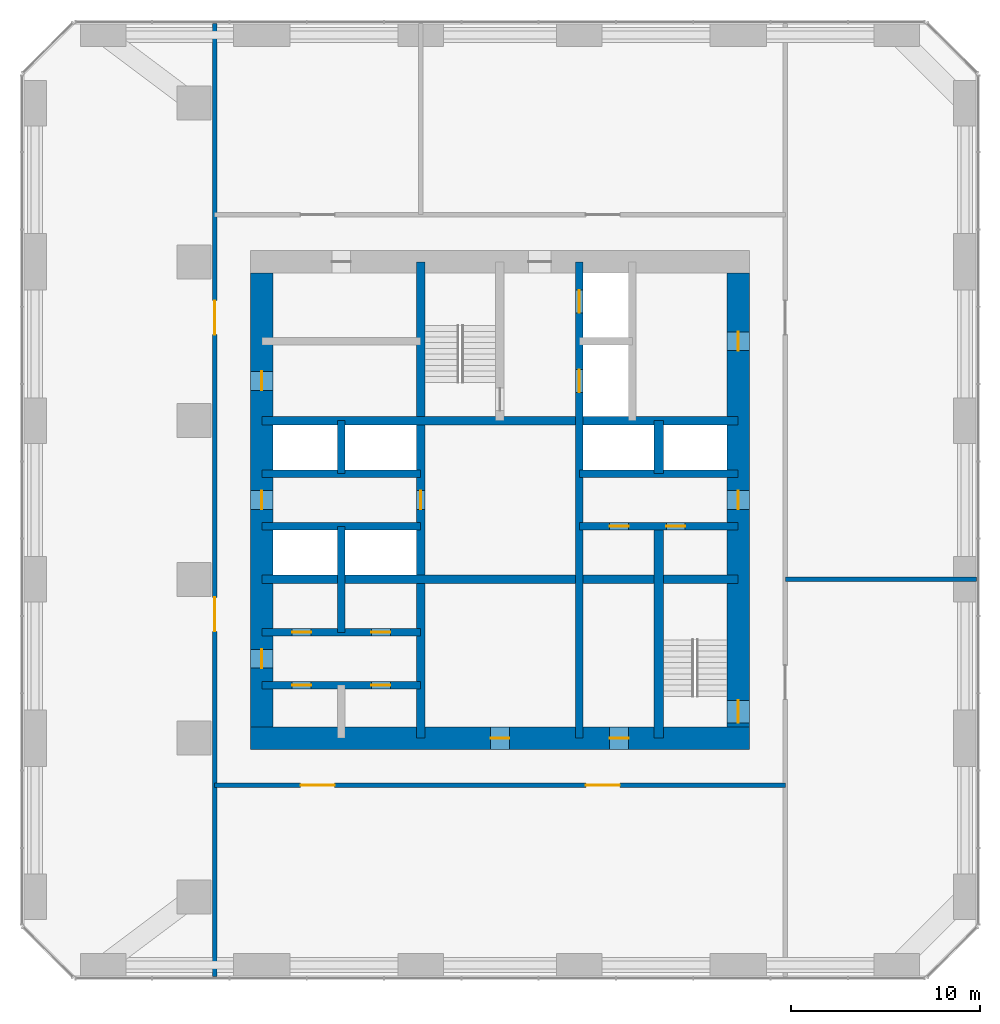
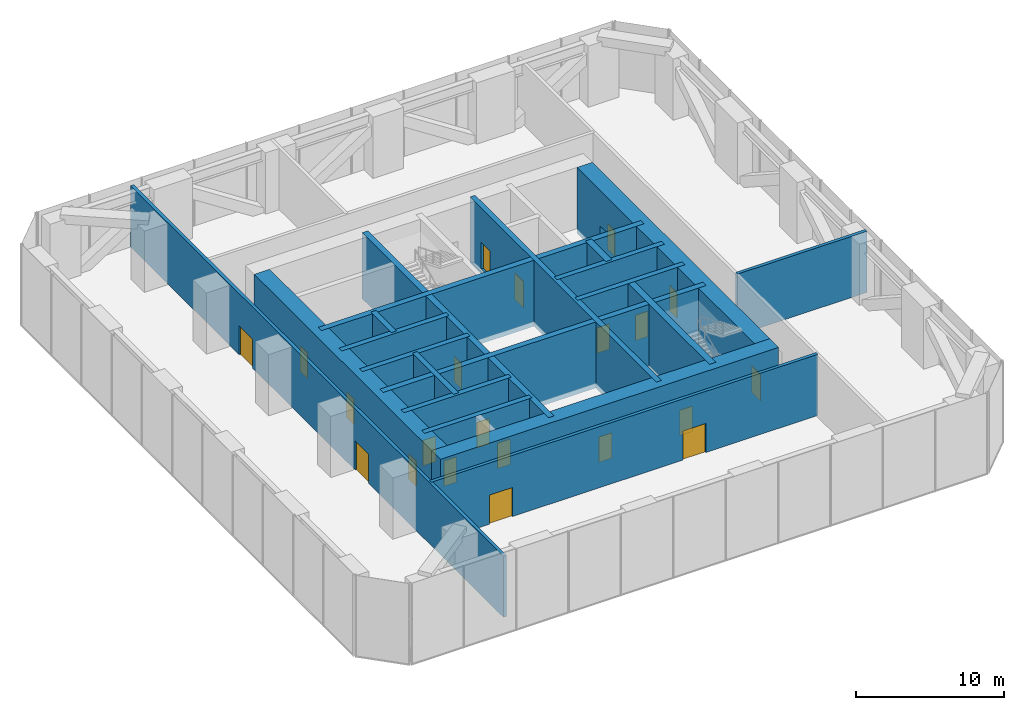
# One storey, part 8 of 10: 21 doors, 20 walls, 21 openings.
"""IFC4 building model written with IfcOpenShell, lengths in metres."""

import ifcopenshell
import ifcopenshell.guid

model = None  # the IFC model being written
_history = None  # IfcOwnerHistory: only IFC2X3 demands one
_inside = {}  # id of a spatial element -> (the spatial element, [elements in it])
_under = {}  # id of a project, library or spatial element -> (it, [spatial elements below it])
_declared = {}  # id of a project -> (the project, [libraries it declares])
_typed = {}  # id of a type object -> (the type object, [elements of that type])
_made_of = {}  # id of a material, layer set ... -> (it, [elements and type objects made of it])


def new_model(schema):
    """Start an empty IFC model of exactly this schema.

    Asked for "IFC4X3", IfcOpenShell would pick the latest addendum, in which some entities
    have other attributes; the version numbers below select the first issue.
    IFC2X3 requires an IfcOwnerHistory on every rooted entity: one is made here for all.
    """
    global model, _history
    if schema == "IFC4X3":
        model = ifcopenshell.file(schema_version=(4, 3, 0, 0))
    else:
        model = ifcopenshell.file(schema=schema)
    _inside.clear()
    _under.clear()
    _declared.clear()
    _typed.clear()
    _made_of.clear()
    _history = None
    if model.schema == "IFC2X3":
        org = make("IfcOrganization", Name="unknown")
        user = make(
            "IfcPersonAndOrganization",
            ThePerson=make("IfcPerson", FamilyName="unknown"),
            TheOrganization=org,
        )
        app = make(
            "IfcApplication",
            ApplicationDeveloper=org,
            Version="unknown",
            ApplicationFullName="unknown",
            ApplicationIdentifier="unknown",
        )
        _history = make(
            "IfcOwnerHistory",
            OwningUser=user,
            OwningApplication=app,
            ChangeAction="ADDED",
            CreationDate=0,
        )
    return model


def make(cls, **values):
    """One entity of the class cls with the attributes given. An attribute that is None is left unset."""
    return model.create_entity(
        cls, **{name: value for name, value in values.items() if value is not None}
    )


def rooted(cls, **values):
    """An entity with a GlobalId (a new one), such as an element, a storey or a relation."""
    return make(cls, GlobalId=ifcopenshell.guid.new(), OwnerHistory=_history, **values)


def si_unit(unit_type, name, prefix=None):
    """IfcSIUnit, for example si_unit("LENGTHUNIT", "METRE", prefix="MILLI")."""
    return make("IfcSIUnit", UnitType=unit_type, Prefix=prefix, Name=name)


def assignment(units):
    """IfcUnitAssignment: the units of a project."""
    return None if units is None else make("IfcUnitAssignment", Units=units)


def point(xyz):
    """IfcCartesianPoint."""
    return None if xyz is None else make("IfcCartesianPoint", Coordinates=xyz)


def direction(xyz):
    """IfcDirection."""
    return None if xyz is None else make("IfcDirection", DirectionRatios=xyz)


def frame(location, z_axis=None, x_axis=None):
    """IfcAxis2Placement3D, a coordinate frame: its origin and axes. An axis left out is left unset."""
    return make(
        "IfcAxis2Placement3D",
        Location=point(location),
        Axis=direction(z_axis),
        RefDirection=direction(x_axis),
    )


def frame_2d(location, x_axis=None):
    """IfcAxis2Placement2D, a coordinate frame in the plane: its origin and x axis."""
    return make(
        "IfcAxis2Placement2D", Location=point(location), RefDirection=direction(x_axis)
    )


def origin():
    """The frame at (0, 0, 0) with its axes left unset."""
    return frame((0.0, 0.0, 0.0))


def place(relative_to, where):
    """IfcLocalPlacement: puts the frame where relative to a parent placement (None: the world)."""
    return make(
        "IfcLocalPlacement", PlacementRelTo=relative_to, RelativePlacement=where
    )


def context(
    kind, dimensions, precision=None, world=None, true_north=None, identifier=None
):
    """IfcGeometricRepresentationContext, for example the 3D "Model" context."""
    return make(
        "IfcGeometricRepresentationContext",
        ContextIdentifier=identifier,
        ContextType=kind,
        CoordinateSpaceDimension=dimensions,
        Precision=precision,
        WorldCoordinateSystem=world,
        TrueNorth=true_north,
    )


def subcontext(parent, identifier, kind, view, scale=None):
    """IfcGeometricRepresentationSubContext, for example "Body" below "Model"."""
    return make(
        "IfcGeometricRepresentationSubContext",
        ContextIdentifier=identifier,
        ContextType=kind,
        ParentContext=parent,
        TargetScale=scale,
        TargetView=view,
    )


def project(units=None, contexts=None):
    """IfcProject with its units and contexts."""
    return rooted(
        "IfcProject",
        Name="project",
        RepresentationContexts=contexts,
        UnitsInContext=assignment(units),
    )


def spatial(cls, under=None, at=None, **own):
    """A site, building, storey or space (cls), placed at a placement, below another one or the project."""
    s = rooted(cls, ObjectPlacement=at, **own)
    if under is not None:
        _under.setdefault(under.id(), (under, []))[1].append(s)
    return s


def profile(cls, at=None, kind="AREA", **sizes):
    """A parametric profile (cls). Its sizes go by their IFC names, for example OverallWidth=200.0."""
    return make(cls, ProfileType=kind, Position=at, **sizes)


def rectangle(**sizes):
    """IfcRectangleProfileDef."""
    return profile("IfcRectangleProfileDef", **sizes)


def extrude(swept, where, along, depth):
    """IfcExtrudedAreaSolid: the profile swept, set in the frame where, extruded along a direction by depth."""
    return make(
        "IfcExtrudedAreaSolid",
        SweptArea=swept,
        Position=where,
        ExtrudedDirection=direction(along),
        Depth=depth,
    )


def shape(context_of_items, identifier, shape_type, items):
    """IfcShapeRepresentation: the items that make up one representation, for example the "Body"."""
    return make(
        "IfcShapeRepresentation",
        ContextOfItems=context_of_items,
        RepresentationIdentifier=identifier,
        RepresentationType=shape_type,
        Items=items,
    )


def material(Name=None, Category=None):
    """IfcMaterial."""
    return make("IfcMaterial", Name=Name, Category=Category)


def layer(
    of_material, thickness, ventilated=None, Name=None, Category=None, Priority=None
):
    """IfcMaterialLayer: one layer of a wall or slab, of a material (None: an air gap)."""
    return make(
        "IfcMaterialLayer",
        Material=of_material,
        LayerThickness=thickness,
        IsVentilated=ventilated,
        Name=Name,
        Category=Category,
        Priority=Priority,
    )


def layer_set(layers, Name=None):
    """IfcMaterialLayerSet."""
    return make("IfcMaterialLayerSet", MaterialLayers=layers, LayerSetName=Name)


def made_of(thing, what):
    """Note that an element or type object is made of a material, layer set ...; save() writes the relation."""
    if what is not None:
        _made_of.setdefault(what.id(), (what, []))[1].append(thing)
    return thing


def type_object(cls, material=None, **own):
    """A type object (cls), such as IfcWallType, which elements share."""
    return made_of(rooted(cls, **own), material)


def element(
    cls,
    number,
    at=None,
    inside=None,
    cuts=None,
    type_object=None,
    material=None,
    context=None,
    identifier="Body",
    shape_type=None,
    held_by="IfcProductDefinitionShape",
    body=None,
    shapes=None,
    **own,
):
    """One element of the class cls, such as IfcWall. Its Tag is "e" and its number.

    at: its placement. inside: the storey or other place that contains it. cuts: it is an
    opening in that element (IfcRelVoidsElement). A single representation is given by context,
    identifier, shape_type and body (its items); several are given by shapes. held_by: the class
    of the entity that holds the representations. save() writes the other relations.
    """
    e = rooted(cls, Tag="e%d" % number, ObjectPlacement=at, **own)
    if body is not None:
        shapes = [shape(context, identifier, shape_type, body)]
    if shapes is not None:
        e.Representation = make(held_by, Representations=shapes)
    if inside is not None:
        _inside.setdefault(inside.id(), (inside, []))[1].append(e)
    if cuts is not None:
        rooted(
            "IfcRelVoidsElement", RelatingBuildingElement=cuts, RelatedOpeningElement=e
        )
    if type_object is not None:
        _typed.setdefault(type_object.id(), (type_object, []))[1].append(e)
    return made_of(e, material)


def fill(opening, filler):
    """IfcRelFillsElement: the door or window that sits in an opening."""
    return rooted(
        "IfcRelFillsElement",
        RelatingOpeningElement=opening,
        RelatedBuildingElement=filler,
    )


def aggregate(whole, parts):
    """IfcRelAggregates: a whole, such as a stair, and the parts it consists of."""
    return rooted("IfcRelAggregates", RelatingObject=whole, RelatedObjects=parts)


def save(model, path):
    """Write the relations noted so far, then the file.

    IfcRelAggregates (storeys below a building ...), IfcRelContainedInSpatialStructure (elements
    in a storey), IfcRelDefinesByType, IfcRelAssociatesMaterial and IfcRelDeclares: one each for
    every whole, place, type object, material and project.
    """
    for whole, parts in _under.values():
        aggregate(whole, parts)
    for where, things in _inside.values():
        rooted(
            "IfcRelContainedInSpatialStructure",
            RelatedElements=things,
            RelatingStructure=where,
        )
    for kind, things in _typed.values():
        rooted("IfcRelDefinesByType", RelatedObjects=things, RelatingType=kind)
    for what, things in _made_of.values():
        rooted("IfcRelAssociatesMaterial", RelatedObjects=things, RelatingMaterial=what)
    for by, libraries in _declared.values():
        rooted("IfcRelDeclares", RelatingContext=by, RelatedDefinitions=libraries)
    model.write(path)


model = new_model("IFC4")

# Units and contexts
model_context = context("Model", 3, precision=1e-05, world=origin(), true_north=direction((0.0, 1.0)))
body_context = subcontext(model_context, "Body", "Model", "MODEL_VIEW")
ifc_project = project(units=[si_unit("LENGTHUNIT", "METRE"), si_unit("AREAUNIT", "SQUARE_METRE"), si_unit("VOLUMEUNIT", "CUBIC_METRE"), si_unit("PLANEANGLEUNIT", "RADIAN"), si_unit("MASSUNIT", "GRAM", prefix="KILO")], contexts=[model_context])

# Site, building, storey
site_placement = place(None, origin())
site = spatial("IfcSite", under=ifc_project, at=site_placement, CompositionType="ELEMENT")
building_placement = place(site_placement, origin())
building = spatial("IfcBuilding", under=site, at=building_placement, Name="Dunama Terrace Hotel", CompositionType="ELEMENT")
storey_placement = place(building_placement, frame((0.0, 0.0, 220.199951171875)))
storey = spatial("IfcBuildingStorey", under=building, at=storey_placement, Name="L57", CompositionType="ELEMENT", Elevation=220.199951171875)

# Walls
ifc_material_1 = material(Name="Concrete C50/60", Category="concrete")
ifc_layer_1 = layer(ifc_material_1, 0.39990234375)
ifc_layer_set_1 = layer_set([ifc_layer_1], Name="Core inner wall 400")
wall_type_1 = type_object("IfcWallType", Name="Core inner wall 400", PredefinedType="SHEAR", material=ifc_layer_set_1)
wall_1_placement = place(storey_placement, frame((21.0, 22.39990234375, -0.39990234375), z_axis=(0.0, 0.0, 1.0), x_axis=(0.0, 1.0, 0.0)))
element("IfcWall", 1, at=wall_1_placement, inside=storey, type_object=wall_type_1, Name="Core inner wall 400 L57", PredefinedType="SHEAR", context=body_context, shape_type="SweptSolid", body=[
    extrude(rectangle(XDim=5.60009765625, YDim=0.39990234375, at=frame_2d((2.800048828125, 0.0))), origin(), (0.0, 0.0, 1.0), 5.449951171875),
])
wall_2_placement = place(storey_placement, frame((21.0, 30.800048828125, -0.39990234375), z_axis=(0.0, 0.0, 1.0), x_axis=(0.0, 1.0, 0.0)))
element("IfcWall", 2, at=wall_2_placement, inside=storey, type_object=wall_type_1, Name="Core inner wall 400 L57", PredefinedType="SHEAR", context=body_context, shape_type="SweptSolid", body=[
    extrude(rectangle(XDim=2.800048828125, YDim=0.39990234375, at=frame_2d((1.39990234375, 0.0))), origin(), (0.0, 0.0, 1.0), 5.449951171875),
])

# Wall, openings, doors
wall_3_placement = place(storey_placement, frame((33.60009765625, 16.800048828125, -0.39990234375), z_axis=(0.0, 0.0, 1.0), x_axis=(0.0, 1.0, 0.0)))
wall_3 = element("IfcWall", 3, at=wall_3_placement, inside=storey, type_object=wall_type_1, Name="Core inner wall 400 L57", PredefinedType="SHEAR", context=body_context, shape_type="SweptSolid", body=[
    extrude(rectangle(XDim=25.199951171875, YDim=0.39990234375, at=frame_2d((12.60009765625, 0.0))), origin(), (0.0, 0.0, 1.0), 5.449951171875),
])
opening_1_placement = place(wall_3_placement, frame((22.5, 0.0, 0.39990234375)))
opening_1 = element("IfcOpeningElement", 4, at=opening_1_placement, cuts=wall_3, Name="Opening L57-003", PredefinedType="OPENING", context=body_context, shape_type="SweptSolid", body=[
    extrude(rectangle(XDim=1.199951171875, YDim=2.199951171875, at=frame_2d((0.60009765625, 1.10009765625))), frame((0.0, 0.2099609375, 0.0), z_axis=(0.0, -1.0, 0.0), x_axis=(1.0, 0.0, 0.0)), (0.0, 0.0, 1.0), 0.419921875),
])
opening_2_placement = place(wall_3_placement, frame((18.300048828125, 0.0, 0.39990234375)))
opening_2 = element("IfcOpeningElement", 5, at=opening_2_placement, cuts=wall_3, Name="Opening L57-004", PredefinedType="OPENING", context=body_context, shape_type="SweptSolid", body=[
    extrude(rectangle(XDim=1.199951171875, YDim=2.199951171875, at=frame_2d((0.60009765625, 1.10009765625))), frame((0.0, 0.2099609375, 0.0), z_axis=(0.0, -1.0, 0.0), x_axis=(1.0, 0.0, 0.0)), (0.0, 0.0, 1.0), 0.419921875),
])
ifc_material_2 = material(Name="Stainless steel lift door", Category="steel")
door_type_1 = type_object("IfcDoorType", Name="Firefighting lift landing door 1200", OperationType="DOUBLE_DOOR_SLIDING", PredefinedType="DOOR", material=ifc_material_2)
door_1_placement = place(opening_1_placement, origin())
door_1 = element("IfcDoor", 6, at=door_1_placement, inside=storey, type_object=door_type_1, Name="Landing door FL1 L57-003, type LD2", OperationType="DOUBLE_DOOR_SLIDING", OverallHeight=2.199951171875, OverallWidth=1.199951171875, PredefinedType="DOOR", context=body_context, shape_type="SweptSolid", body=[
    extrude(rectangle(XDim=1.199951171875, YDim=2.199951171875, at=frame_2d((0.60009765625, 1.10009765625))), frame((0.0, 0.02490234375, 0.0), z_axis=(0.0, -1.0, 0.0), x_axis=(1.0, 0.0, 0.0)), (0.0, 0.0, 1.0), 0.050048828125),
])
fill(opening_1, door_1)
door_2_placement = place(opening_2_placement, origin())
door_2 = element("IfcDoor", 7, at=door_2_placement, inside=storey, type_object=door_type_1, Name="Landing door FL2 L57-004, type LD2", OperationType="DOUBLE_DOOR_SLIDING", OverallHeight=2.199951171875, OverallWidth=1.199951171875, PredefinedType="DOOR", context=body_context, shape_type="SweptSolid", body=[
    extrude(rectangle(XDim=1.199951171875, YDim=2.199951171875, at=frame_2d((0.60009765625, 1.10009765625))), frame((0.0, 0.02490234375, 0.0), z_axis=(0.0, -1.0, 0.0), x_axis=(1.0, 0.0, 0.0)), (0.0, 0.0, 1.0), 0.050048828125),
])
fill(opening_2, door_2)

wall_4_placement = place(storey_placement, frame((16.800048828125, 19.60009765625, -0.39990234375), z_axis=(0.0, 0.0, 1.0), x_axis=(1.0, 0.0, 0.0)))
wall_4 = element("IfcWall", 8, at=wall_4_placement, inside=storey, type_object=wall_type_1, Name="Core inner wall 400 L57", PredefinedType="SHEAR", context=body_context, shape_type="SweptSolid", body=[
    extrude(rectangle(XDim=8.39990234375, YDim=0.39990234375, at=frame_2d((4.199951171875, 0.0))), origin(), (0.0, 0.0, 1.0), 5.449951171875),
])
opening_3_placement = place(wall_4_placement, frame((1.60009765625, 0.0, 0.39990234375)))
opening_3 = element("IfcOpeningElement", 9, at=opening_3_placement, cuts=wall_4, Name="Opening L57-014", PredefinedType="OPENING", context=body_context, shape_type="SweptSolid", body=[
    extrude(rectangle(XDim=1.0, YDim=2.10009765625, at=frame_2d((0.5, 1.050048828125))), frame((0.0, 0.2099609375, 0.0), z_axis=(0.0, -1.0, 0.0), x_axis=(1.0, 0.0, 0.0)), (0.0, 0.0, 1.0), 0.419921875),
])
opening_4_placement = place(wall_4_placement, frame((5.800048828125, 0.0, 0.39990234375)))
opening_4 = element("IfcOpeningElement", 10, at=opening_4_placement, cuts=wall_4, Name="Opening L57-015", PredefinedType="OPENING", context=body_context, shape_type="SweptSolid", body=[
    extrude(rectangle(XDim=1.0, YDim=2.10009765625, at=frame_2d((0.5, 1.050048828125))), frame((0.0, 0.2099609375, 0.0), z_axis=(0.0, -1.0, 0.0), x_axis=(1.0, 0.0, 0.0)), (0.0, 0.0, 1.0), 0.419921875),
])
ifc_material_3 = material(Name="Timber door with steel frame", Category="steel")
door_type_2 = type_object("IfcDoorType", Name="Service door 1000", OperationType="SINGLE_SWING_LEFT", PredefinedType="DOOR", material=ifc_material_3)
door_3_placement = place(opening_3_placement, frame((1.0, 0.0, 0.0), z_axis=(0.0, 0.0, 1.0), x_axis=(-1.0, 0.0, 0.0)))
door_3 = element("IfcDoor", 11, at=door_3_placement, inside=storey, type_object=door_type_2, Name="Door to service riser L57-014, type D7", OperationType="SINGLE_SWING_RIGHT", OverallHeight=2.10009765625, OverallWidth=1.0, PredefinedType="DOOR", context=body_context, shape_type="SweptSolid", body=[
    extrude(rectangle(XDim=1.0, YDim=2.10009765625, at=frame_2d((0.5, 1.050048828125))), frame((0.0, 0.025146484375, 0.0), z_axis=(0.0, -1.0, 0.0), x_axis=(1.0, 0.0, 0.0)), (0.0, 0.0, 1.0), 0.050048828125),
])
fill(opening_3, door_3)
door_4_placement = place(opening_4_placement, frame((1.0, 0.0, 0.0), z_axis=(0.0, 0.0, 1.0), x_axis=(-1.0, 0.0, 0.0)))
door_4 = element("IfcDoor", 12, at=door_4_placement, inside=storey, type_object=door_type_2, Name="Door to mechanical spares store L57-015, type D7", OperationType="SINGLE_SWING_RIGHT", OverallHeight=2.10009765625, OverallWidth=1.0, PredefinedType="DOOR", context=body_context, shape_type="SweptSolid", body=[
    extrude(rectangle(XDim=1.0, YDim=2.10009765625, at=frame_2d((0.5, 1.050048828125))), frame((0.0, 0.025146484375, 0.0), z_axis=(0.0, -1.0, 0.0), x_axis=(1.0, 0.0, 0.0)), (0.0, 0.0, 1.0), 0.050048828125),
])
fill(opening_4, door_4)

wall_5_placement = place(storey_placement, frame((16.800048828125, 22.39990234375, -0.39990234375), z_axis=(0.0, 0.0, 1.0), x_axis=(1.0, 0.0, 0.0)))
wall_5 = element("IfcWall", 13, at=wall_5_placement, inside=storey, type_object=wall_type_1, Name="Core inner wall 400 L57", PredefinedType="SHEAR", context=body_context, shape_type="SweptSolid", body=[
    extrude(rectangle(XDim=8.39990234375, YDim=0.39990234375, at=frame_2d((4.199951171875, 0.0))), origin(), (0.0, 0.0, 1.0), 5.449951171875),
])
opening_5_placement = place(wall_5_placement, frame((1.60009765625, 0.0, 0.39990234375)))
opening_5 = element("IfcOpeningElement", 14, at=opening_5_placement, cuts=wall_5, Name="Opening L57-016", PredefinedType="OPENING", context=body_context, shape_type="SweptSolid", body=[
    extrude(rectangle(XDim=1.0, YDim=2.10009765625, at=frame_2d((0.5, 1.050048828125))), frame((0.0, 0.2099609375, 0.0), z_axis=(0.0, -1.0, 0.0), x_axis=(1.0, 0.0, 0.0)), (0.0, 0.0, 1.0), 0.419921875),
])
opening_6_placement = place(wall_5_placement, frame((5.800048828125, 0.0, 0.39990234375)))
opening_6 = element("IfcOpeningElement", 15, at=opening_6_placement, cuts=wall_5, Name="Opening L57-017", PredefinedType="OPENING", context=body_context, shape_type="SweptSolid", body=[
    extrude(rectangle(XDim=1.0, YDim=2.10009765625, at=frame_2d((0.5, 1.050048828125))), frame((0.0, 0.2099609375, 0.0), z_axis=(0.0, -1.0, 0.0), x_axis=(1.0, 0.0, 0.0)), (0.0, 0.0, 1.0), 0.419921875),
])
door_5_placement = place(opening_5_placement, origin())
door_5 = element("IfcDoor", 16, at=door_5_placement, inside=storey, type_object=door_type_2, Name="Door to it room L57-016, type D7", OperationType="SINGLE_SWING_LEFT", OverallHeight=2.10009765625, OverallWidth=1.0, PredefinedType="DOOR", context=body_context, shape_type="SweptSolid", body=[
    extrude(rectangle(XDim=1.0, YDim=2.10009765625, at=frame_2d((0.5, 1.050048828125))), frame((0.0, 0.02490234375, 0.0), z_axis=(0.0, -1.0, 0.0), x_axis=(1.0, 0.0, 0.0)), (0.0, 0.0, 1.0), 0.050048828125),
])
fill(opening_5, door_5)
door_6_placement = place(opening_6_placement, origin())
door_6 = element("IfcDoor", 17, at=door_6_placement, inside=storey, type_object=door_type_2, Name="Door to plant spares store L57-017, type D7", OperationType="SINGLE_SWING_RIGHT", OverallHeight=2.10009765625, OverallWidth=1.0, PredefinedType="DOOR", context=body_context, shape_type="SweptSolid", body=[
    extrude(rectangle(XDim=1.0, YDim=2.10009765625, at=frame_2d((0.5, 1.050048828125))), frame((0.0, 0.02490234375, 0.0), z_axis=(0.0, -1.0, 0.0), x_axis=(1.0, 0.0, 0.0)), (0.0, 0.0, 1.0), 0.050048828125),
])
fill(opening_6, door_6)

# Wall
wall_6_placement = place(storey_placement, frame((16.800048828125, 28.0, -0.39990234375), z_axis=(0.0, 0.0, 1.0), x_axis=(1.0, 0.0, 0.0)))
element("IfcWall", 18, at=wall_6_placement, inside=storey, type_object=wall_type_1, Name="Core inner wall 400 L57", PredefinedType="SHEAR", context=body_context, shape_type="SweptSolid", body=[
    extrude(rectangle(XDim=8.39990234375, YDim=0.39990234375, at=frame_2d((4.199951171875, 0.0))), origin(), (0.0, 0.0, 1.0), 5.449951171875),
])

# Wall, openings, doors
wall_7_placement = place(storey_placement, frame((33.60009765625, 28.0, -0.39990234375), z_axis=(0.0, 0.0, 1.0), x_axis=(1.0, 0.0, 0.0)))
wall_7 = element("IfcWall", 19, at=wall_7_placement, inside=storey, type_object=wall_type_1, Name="Core inner wall 400 L57", PredefinedType="SHEAR", context=body_context, shape_type="SweptSolid", body=[
    extrude(rectangle(XDim=8.39990234375, YDim=0.39990234375, at=frame_2d((4.199951171875, 0.0))), origin(), (0.0, 0.0, 1.0), 5.449951171875),
])
opening_7_placement = place(wall_7_placement, frame((1.60009765625, 0.0, 0.39990234375)))
opening_7 = element("IfcOpeningElement", 20, at=opening_7_placement, cuts=wall_7, Name="Opening L57-022", PredefinedType="OPENING", context=body_context, shape_type="SweptSolid", body=[
    extrude(rectangle(XDim=1.0, YDim=2.10009765625, at=frame_2d((0.5, 1.050048828125))), frame((0.0, 0.2099609375, 0.0), z_axis=(0.0, -1.0, 0.0), x_axis=(1.0, 0.0, 0.0)), (0.0, 0.0, 1.0), 0.419921875),
])
opening_8_placement = place(wall_7_placement, frame((4.60009765625, 0.0, 0.39990234375)))
opening_8 = element("IfcOpeningElement", 21, at=opening_8_placement, cuts=wall_7, Name="Opening L57-023", PredefinedType="OPENING", context=body_context, shape_type="SweptSolid", body=[
    extrude(rectangle(XDim=1.0, YDim=2.10009765625, at=frame_2d((0.5, 1.050048828125))), frame((0.0, 0.2099609375, 0.0), z_axis=(0.0, -1.0, 0.0), x_axis=(1.0, 0.0, 0.0)), (0.0, 0.0, 1.0), 0.419921875),
])
door_7_placement = place(opening_7_placement, frame((1.0, 0.0, 0.0), z_axis=(0.0, 0.0, 1.0), x_axis=(-1.0, 0.0, 0.0)))
door_7 = element("IfcDoor", 22, at=door_7_placement, inside=storey, type_object=door_type_2, Name="Door to service riser L57-022, type D7", OperationType="SINGLE_SWING_LEFT", OverallHeight=2.10009765625, OverallWidth=1.0, PredefinedType="DOOR", context=body_context, shape_type="SweptSolid", body=[
    extrude(rectangle(XDim=1.0, YDim=2.10009765625, at=frame_2d((0.5, 1.050048828125))), frame((0.0, 0.025146484375, 0.0), z_axis=(0.0, -1.0, 0.0), x_axis=(1.0, 0.0, 0.0)), (0.0, 0.0, 1.0), 0.050048828125),
])
fill(opening_7, door_7)
door_8_placement = place(opening_8_placement, frame((1.0, 0.0, 0.0), z_axis=(0.0, 0.0, 1.0), x_axis=(-1.0, 0.0, 0.0)))
door_8 = element("IfcDoor", 23, at=door_8_placement, inside=storey, type_object=door_type_2, Name="Door to staff accessible wc L57-023, type D7", OperationType="SINGLE_SWING_RIGHT", OverallHeight=2.10009765625, OverallWidth=1.0, PredefinedType="DOOR", context=body_context, shape_type="SweptSolid", body=[
    extrude(rectangle(XDim=1.0, YDim=2.10009765625, at=frame_2d((0.5, 1.050048828125))), frame((0.0, 0.025146484375, 0.0), z_axis=(0.0, -1.0, 0.0), x_axis=(1.0, 0.0, 0.0)), (0.0, 0.0, 1.0), 0.050048828125),
])
fill(opening_8, door_8)

# Walls
for number, where, z_axis, x_axis, name in (
    (24, (16.800048828125, 30.800048828125, -0.39990234375), (0.0, 0.0, 1.0), (1.0, 0.0, 0.0), "Core inner wall 400 L57"),
    (25, (33.60009765625, 30.800048828125, -0.39990234375), (0.0, 0.0, 1.0), (1.0, 0.0, 0.0), "Core inner wall 400 L57"),
):
    element("IfcWall", number, at=place(storey_placement, frame(where, z_axis=z_axis, x_axis=x_axis)), inside=storey, type_object=wall_type_1, Name=name, PredefinedType="SHEAR", context=body_context, shape_type="SweptSolid", body=[
        extrude(rectangle(XDim=8.39990234375, YDim=0.39990234375, at=frame_2d((4.199951171875, 0.0))), origin(), (0.0, 0.0, 1.0), 5.449951171875),
    ])

# Wall, opening, door
ifc_material_4 = material(Name="Concrete C50/60", Category="concrete")
ifc_layer_2 = layer(ifc_material_4, 0.449951171875)
ifc_layer_set_2 = layer_set([ifc_layer_2], Name="Core inner wall 450")
wall_type_2 = type_object("IfcWallType", Name="Core inner wall 450", PredefinedType="SHEAR", material=ifc_layer_set_2)
wall_8_placement = place(storey_placement, frame((25.199951171875, 16.800048828125, -0.39990234375), z_axis=(0.0, 0.0, 1.0), x_axis=(0.0, 1.0, 0.0)))
wall_8 = element("IfcWall", 26, at=wall_8_placement, inside=storey, type_object=wall_type_2, Name="Core inner wall 450 L57", PredefinedType="SHEAR", context=body_context, shape_type="SweptSolid", body=[
    extrude(rectangle(XDim=25.199951171875, YDim=0.449951171875, at=frame_2d((12.60009765625, 0.0))), origin(), (0.0, 0.0, 1.0), 5.449951171875),
])
opening_9_placement = place(wall_8_placement, frame((12.10009765625, 0.0, 0.39990234375)))
opening_9 = element("IfcOpeningElement", 27, at=opening_9_placement, cuts=wall_8, Name="Opening L57-021", PredefinedType="OPENING", context=body_context, shape_type="SweptSolid", body=[
    extrude(rectangle(XDim=1.0, YDim=2.10009765625, at=frame_2d((0.5, 1.050048828125))), frame((0.0, 0.23486328125, 0.0), z_axis=(0.0, -1.0, 0.0), x_axis=(1.0, 0.0, 0.0)), (0.0, 0.0, 1.0), 0.469970703125),
])
door_9_placement = place(opening_9_placement, frame((1.0, 0.0, 0.0), z_axis=(0.0, 0.0, 1.0), x_axis=(-1.0, 0.0, 0.0)))
door_9 = element("IfcDoor", 28, at=door_9_placement, inside=storey, type_object=door_type_2, Name="Door to linen and housekeeping room L57-021, type D7", OperationType="SINGLE_SWING_RIGHT", OverallHeight=2.10009765625, OverallWidth=1.0, PredefinedType="DOOR", context=body_context, shape_type="SweptSolid", body=[
    extrude(rectangle(XDim=1.0, YDim=2.10009765625, at=frame_2d((0.5, 1.050048828125))), frame((0.0, 0.025146484375, 0.0), z_axis=(0.0, -1.0, 0.0), x_axis=(1.0, 0.0, 0.0)), (0.0, 0.0, 1.0), 0.050048828125),
])
fill(opening_9, door_9)

# Walls
for number, where, z_axis, x_axis, name in (
    (29, (16.800048828125, 25.199951171875, -0.39990234375), (0.0, 0.0, 1.0), (1.0, 0.0, 0.0), "Core inner wall 450 L57"),
    (30, (16.800048828125, 33.60009765625, -0.39990234375), (0.0, 0.0, 1.0), (1.0, 0.0, 0.0), "Core inner wall 450 L57"),
):
    element("IfcWall", number, at=place(storey_placement, frame(where, z_axis=z_axis, x_axis=x_axis)), inside=storey, type_object=wall_type_2, Name=name, PredefinedType="SHEAR", context=body_context, shape_type="SweptSolid", body=[
        extrude(rectangle(XDim=25.199951171875, YDim=0.449951171875, at=frame_2d((12.60009765625, 0.0))), origin(), (0.0, 0.0, 1.0), 5.449951171875),
    ])
ifc_material_5 = material(Name="Concrete C50/60", Category="concrete")
ifc_layer_3 = layer(ifc_material_5, 0.5)
ifc_layer_set_3 = layer_set([ifc_layer_3], Name="Core inner wall 500")
wall_type_3 = type_object("IfcWallType", Name="Core inner wall 500", PredefinedType="SHEAR", material=ifc_layer_set_3)
wall_9_placement = place(storey_placement, frame((37.800048828125, 16.800048828125, -0.39990234375), z_axis=(0.0, 0.0, 1.0), x_axis=(0.0, 1.0, 0.0)))
element("IfcWall", 31, at=wall_9_placement, inside=storey, type_object=wall_type_3, Name="Core inner wall 500 L57", PredefinedType="SHEAR", context=body_context, shape_type="SweptSolid", body=[
    extrude(rectangle(XDim=11.199951171875, YDim=0.5, at=frame_2d((5.60009765625, 0.0))), origin(), (0.0, 0.0, 1.0), 5.449951171875),
])
wall_10_placement = place(storey_placement, frame((37.800048828125, 30.800048828125, -0.39990234375), z_axis=(0.0, 0.0, 1.0), x_axis=(0.0, 1.0, 0.0)))
element("IfcWall", 32, at=wall_10_placement, inside=storey, type_object=wall_type_3, Name="Core inner wall 500 L57", PredefinedType="SHEAR", context=body_context, shape_type="SweptSolid", body=[
    extrude(rectangle(XDim=2.800048828125, YDim=0.5, at=frame_2d((1.39990234375, 0.0))), origin(), (0.0, 0.0, 1.0), 5.449951171875),
])

# Wall, openings, doors
ifc_material_6 = material(Name="Concrete C60/75", Category="concrete")
ifc_layer_4 = layer(ifc_material_6, 1.199951171875)
ifc_layer_set_4 = layer_set([ifc_layer_4], Name="Core wall 1200")
wall_type_4 = type_object("IfcWallType", Name="Core wall 1200", PredefinedType="SHEAR", material=ifc_layer_set_4)
wall_11_placement = place(storey_placement, frame((16.199951171875, 16.800048828125, -0.39990234375), z_axis=(0.0, 0.0, 1.0), x_axis=(1.0, 0.0, 0.0)))
wall_11 = element("IfcWall", 33, at=wall_11_placement, inside=storey, type_object=wall_type_4, Name="Core wall south L57", PredefinedType="SHEAR", context=body_context, shape_type="SweptSolid", body=[
    extrude(rectangle(XDim=26.400146484375, YDim=1.199951171875, at=frame_2d((13.2001953125, 0.0))), origin(), (0.0, 0.0, 1.0), 5.449951171875),
])
opening_10_placement = place(wall_11_placement, frame((12.699951171875, 0.0, 0.39990234375)))
opening_10 = element("IfcOpeningElement", 34, at=opening_10_placement, cuts=wall_11, Name="Opening L57-027", PredefinedType="OPENING", context=body_context, shape_type="SweptSolid", body=[
    extrude(rectangle(XDim=1.0, YDim=2.10009765625, at=frame_2d((0.5, 1.050048828125))), frame((0.0, 0.60986328125, 0.0), z_axis=(0.0, -1.0, 0.0), x_axis=(1.0, 0.0, 0.0)), (0.0, 0.0, 1.0), 1.219970703125),
])
opening_11_placement = place(wall_11_placement, frame((19.0, 0.0, 0.39990234375)))
opening_11 = element("IfcOpeningElement", 35, at=opening_11_placement, cuts=wall_11, Name="Opening L57-028", PredefinedType="OPENING", context=body_context, shape_type="SweptSolid", body=[
    extrude(rectangle(XDim=1.0, YDim=2.10009765625, at=frame_2d((0.5, 1.050048828125))), frame((0.0, 0.60986328125, 0.0), z_axis=(0.0, -1.0, 0.0), x_axis=(1.0, 0.0, 0.0)), (0.0, 0.0, 1.0), 1.219970703125),
])
door_10_placement = place(opening_10_placement, origin())
door_10 = element("IfcDoor", 36, at=door_10_placement, inside=storey, type_object=door_type_2, Name="Door to corridor air handling plant room L57-027, type D7", OperationType="SINGLE_SWING_LEFT", OverallHeight=2.10009765625, OverallWidth=1.0, PredefinedType="DOOR", context=body_context, shape_type="SweptSolid", body=[
    extrude(rectangle(XDim=1.0, YDim=2.10009765625, at=frame_2d((0.5, 1.050048828125))), frame((0.0, 0.02490234375, 0.0), z_axis=(0.0, -1.0, 0.0), x_axis=(1.0, 0.0, 0.0)), (0.0, 0.0, 1.0), 0.050048828125),
])
fill(opening_10, door_10)
door_11_placement = place(opening_11_placement, origin())
door_11 = element("IfcDoor", 37, at=door_11_placement, inside=storey, type_object=door_type_2, Name="Door to water booster plant room L57-028, type D7", OperationType="SINGLE_SWING_RIGHT", OverallHeight=2.10009765625, OverallWidth=1.0, PredefinedType="DOOR", context=body_context, shape_type="SweptSolid", body=[
    extrude(rectangle(XDim=1.0, YDim=2.10009765625, at=frame_2d((0.5, 1.050048828125))), frame((0.0, 0.02490234375, 0.0), z_axis=(0.0, -1.0, 0.0), x_axis=(1.0, 0.0, 0.0)), (0.0, 0.0, 1.0), 0.050048828125),
])
fill(opening_11, door_11)

wall_12_placement = place(storey_placement, frame((42.0, 17.39990234375, -0.39990234375), z_axis=(0.0, 0.0, 1.0), x_axis=(0.0, 1.0, 0.0)))
wall_12 = element("IfcWall", 38, at=wall_12_placement, inside=storey, type_object=wall_type_4, Name="Core wall east L57", PredefinedType="SHEAR", context=body_context, shape_type="SweptSolid", body=[
    extrude(rectangle(XDim=24.0, YDim=1.199951171875, at=frame_2d((12.0, 0.0))), origin(), (0.0, 0.0, 1.0), 5.449951171875),
])
opening_12_placement = place(wall_12_placement, frame((0.199951171875, 0.0, 0.39990234375)))
opening_12 = element("IfcOpeningElement", 39, at=opening_12_placement, cuts=wall_12, Name="Opening L57-002", PredefinedType="OPENING", context=body_context, shape_type="SweptSolid", body=[
    extrude(rectangle(XDim=1.199951171875, YDim=2.199951171875, at=frame_2d((0.60009765625, 1.10009765625))), frame((0.0, 0.60986328125, 0.0), z_axis=(0.0, -1.0, 0.0), x_axis=(1.0, 0.0, 0.0)), (0.0, 0.0, 1.0), 1.219970703125),
])
opening_13_placement = place(wall_12_placement, frame((11.5, 0.0, 0.39990234375)))
opening_13 = element("IfcOpeningElement", 40, at=opening_13_placement, cuts=wall_12, Name="Opening L57-024", PredefinedType="OPENING", context=body_context, shape_type="SweptSolid", body=[
    extrude(rectangle(XDim=1.0, YDim=2.10009765625, at=frame_2d((0.5, 1.050048828125))), frame((0.0, 0.60986328125, 0.0), z_axis=(0.0, -1.0, 0.0), x_axis=(1.0, 0.0, 0.0)), (0.0, 0.0, 1.0), 1.219970703125),
])
opening_14_placement = place(wall_12_placement, frame((19.89990234375, 0.0, 0.39990234375)))
opening_14 = element("IfcOpeningElement", 41, at=opening_14_placement, cuts=wall_12, Name="Opening L57-026", PredefinedType="OPENING", context=body_context, shape_type="SweptSolid", body=[
    extrude(rectangle(XDim=1.0, YDim=2.10009765625, at=frame_2d((0.5, 1.050048828125))), frame((0.0, 0.60986328125, 0.0), z_axis=(0.0, -1.0, 0.0), x_axis=(1.0, 0.0, 0.0)), (0.0, 0.0, 1.0), 1.219970703125),
])
door_12_placement = place(opening_13_placement, origin())
door_12 = element("IfcDoor", 42, at=door_12_placement, inside=storey, type_object=door_type_2, Name="Door to service lobby L57-024, type D7", OperationType="SINGLE_SWING_LEFT", OverallHeight=2.10009765625, OverallWidth=1.0, PredefinedType="DOOR", context=body_context, shape_type="SweptSolid", body=[
    extrude(rectangle(XDim=1.0, YDim=2.10009765625, at=frame_2d((0.5, 1.050048828125))), frame((0.0, 0.02490234375, 0.0), z_axis=(0.0, -1.0, 0.0), x_axis=(1.0, 0.0, 0.0)), (0.0, 0.0, 1.0), 0.050048828125),
])
fill(opening_13, door_12)
door_13_placement = place(opening_14_placement, origin())
door_13 = element("IfcDoor", 43, at=door_13_placement, inside=storey, type_object=door_type_2, Name="Door to fire service equipment store L57-026, type D7", OperationType="SINGLE_SWING_LEFT", OverallHeight=2.10009765625, OverallWidth=1.0, PredefinedType="DOOR", context=body_context, shape_type="SweptSolid", body=[
    extrude(rectangle(XDim=1.0, YDim=2.10009765625, at=frame_2d((0.5, 1.050048828125))), frame((0.0, 0.02490234375, 0.0), z_axis=(0.0, -1.0, 0.0), x_axis=(1.0, 0.0, 0.0)), (0.0, 0.0, 1.0), 0.050048828125),
])
fill(opening_14, door_13)
ifc_material_7 = material(Name="Timber door with steel frame", Category="steel")
door_type_3 = type_object("IfcDoorType", Name="Stair door 1200", OperationType="SINGLE_SWING_LEFT", PredefinedType="DOOR", material=ifc_material_7)
door_14_placement = place(opening_12_placement, origin())
door_14 = element("IfcDoor", 44, at=door_14_placement, inside=storey, type_object=door_type_3, Name="Stair door ST2 L57-002, type D5", OperationType="SINGLE_SWING_LEFT", OverallHeight=2.199951171875, OverallWidth=1.199951171875, PredefinedType="DOOR", context=body_context, shape_type="SweptSolid", body=[
    extrude(rectangle(XDim=1.199951171875, YDim=2.199951171875, at=frame_2d((0.60009765625, 1.10009765625))), frame((0.0, 0.02490234375, 0.0), z_axis=(0.0, -1.0, 0.0), x_axis=(1.0, 0.0, 0.0)), (0.0, 0.0, 1.0), 0.050048828125),
])
fill(opening_12, door_14)

wall_13_placement = place(storey_placement, frame((16.800048828125, 41.39990234375, -0.39990234375), z_axis=(0.0, 0.0, 1.0), x_axis=(0.0, -1.0, 0.0)))
wall_13 = element("IfcWall", 45, at=wall_13_placement, inside=storey, type_object=wall_type_4, Name="Core wall west L57", PredefinedType="SHEAR", context=body_context, shape_type="SweptSolid", body=[
    extrude(rectangle(XDim=24.0, YDim=1.199951171875, at=frame_2d((12.0, 0.0))), origin(), (0.0, 0.0, 1.0), 5.449951171875),
])
opening_15_placement = place(wall_13_placement, frame((11.5, 0.0, 0.39990234375)))
opening_15 = element("IfcOpeningElement", 46, at=opening_15_placement, cuts=wall_13, Name="Opening L57-013", PredefinedType="OPENING", context=body_context, shape_type="SweptSolid", body=[
    extrude(rectangle(XDim=1.0, YDim=2.10009765625, at=frame_2d((0.5, 1.050048828125))), frame((0.0, 0.60986328125, 0.0), z_axis=(0.0, -1.0, 0.0), x_axis=(1.0, 0.0, 0.0)), (0.0, 0.0, 1.0), 1.219970703125),
])
opening_16_placement = place(wall_13_placement, frame((19.89990234375, 0.0, 0.39990234375)))
opening_16 = element("IfcOpeningElement", 47, at=opening_16_placement, cuts=wall_13, Name="Opening L57-018", PredefinedType="OPENING", context=body_context, shape_type="SweptSolid", body=[
    extrude(rectangle(XDim=1.0, YDim=2.10009765625, at=frame_2d((0.5, 1.050048828125))), frame((0.0, 0.60986328125, 0.0), z_axis=(0.0, -1.0, 0.0), x_axis=(1.0, 0.0, 0.0)), (0.0, 0.0, 1.0), 1.219970703125),
])
opening_17_placement = place(wall_13_placement, frame((5.199951171875, 0.0, 0.39990234375)))
opening_17 = element("IfcOpeningElement", 48, at=opening_17_placement, cuts=wall_13, Name="Opening L57-019", PredefinedType="OPENING", context=body_context, shape_type="SweptSolid", body=[
    extrude(rectangle(XDim=1.0, YDim=2.10009765625, at=frame_2d((0.5, 1.050048828125))), frame((0.0, 0.60986328125, 0.0), z_axis=(0.0, -1.0, 0.0), x_axis=(1.0, 0.0, 0.0)), (0.0, 0.0, 1.0), 1.219970703125),
])
door_15_placement = place(opening_15_placement, origin())
door_15 = element("IfcDoor", 49, at=door_15_placement, inside=storey, type_object=door_type_2, Name="Door to service lobby L57-013, type D7", OperationType="SINGLE_SWING_RIGHT", OverallHeight=2.10009765625, OverallWidth=1.0, PredefinedType="DOOR", context=body_context, shape_type="SweptSolid", body=[
    extrude(rectangle(XDim=1.0, YDim=2.10009765625, at=frame_2d((0.5, 1.050048828125))), frame((0.0, 0.02490234375, 0.0), z_axis=(0.0, -1.0, 0.0), x_axis=(1.0, 0.0, 0.0)), (0.0, 0.0, 1.0), 0.050048828125),
])
fill(opening_15, door_15)
door_16_placement = place(opening_16_placement, origin())
door_16 = element("IfcDoor", 50, at=door_16_placement, inside=storey, type_object=door_type_2, Name="Door to back-of-house lobby L57-018, type D7", OperationType="SINGLE_SWING_LEFT", OverallHeight=2.10009765625, OverallWidth=1.0, PredefinedType="DOOR", context=body_context, shape_type="SweptSolid", body=[
    extrude(rectangle(XDim=1.0, YDim=2.10009765625, at=frame_2d((0.5, 1.050048828125))), frame((0.0, 0.02490234375, 0.0), z_axis=(0.0, -1.0, 0.0), x_axis=(1.0, 0.0, 0.0)), (0.0, 0.0, 1.0), 0.050048828125),
])
fill(opening_16, door_16)
door_17_placement = place(opening_17_placement, origin())
door_17 = element("IfcDoor", 51, at=door_17_placement, inside=storey, type_object=door_type_2, Name="Door to electrical plant room L57-019, type D7", OperationType="SINGLE_SWING_RIGHT", OverallHeight=2.10009765625, OverallWidth=1.0, PredefinedType="DOOR", context=body_context, shape_type="SweptSolid", body=[
    extrude(rectangle(XDim=1.0, YDim=2.10009765625, at=frame_2d((0.5, 1.050048828125))), frame((0.0, 0.02490234375, 0.0), z_axis=(0.0, -1.0, 0.0), x_axis=(1.0, 0.0, 0.0)), (0.0, 0.0, 1.0), 0.050048828125),
])
fill(opening_17, door_17)

ifc_material_8 = material(Name="Concrete blockwork", Category="masonry")
ifc_layer_5 = layer(ifc_material_8, 0.25)
ifc_layer_set_5 = layer_set([ifc_layer_5], Name="Plant room wall 250")
wall_type_5 = type_object("IfcWallType", Name="Plant room wall 250", PredefinedType="PARTITIONING", material=ifc_layer_set_5)
wall_14_placement = place(storey_placement, frame((14.300048828125, 4.181884765625, 0.0), z_axis=(0.0, 0.0, 1.0), x_axis=(0.0, 1.0, 0.0)))
wall_14 = element("IfcWall", 52, at=wall_14_placement, inside=storey, type_object=wall_type_5, Name="Plant room wall 250 L57", PredefinedType="PARTITIONING", context=body_context, shape_type="SweptSolid", body=[
    extrude(rectangle(XDim=50.43603515625, YDim=0.25, at=frame_2d((25.218017578125, 0.0))), origin(), (0.0, 0.0, 1.0), 5.050048828125),
])
opening_18_placement = place(wall_14_placement, frame((18.26806640625, 0.0, 0.0)))
opening_18 = element("IfcOpeningElement", 53, at=opening_18_placement, cuts=wall_14, Name="Opening L57-005", PredefinedType="OPENING", context=body_context, shape_type="SweptSolid", body=[
    extrude(rectangle(XDim=1.800048828125, YDim=2.39990234375, at=frame_2d((0.89990234375, 1.199951171875))), frame((0.0, 0.135009765625, 0.0), z_axis=(0.0, -1.0, 0.0), x_axis=(1.0, 0.0, 0.0)), (0.0, 0.0, 1.0), 0.27001953125),
])
opening_19_placement = place(wall_14_placement, frame((33.968017578125, 0.0, 0.0)))
opening_19 = element("IfcOpeningElement", 54, at=opening_19_placement, cuts=wall_14, Name="Opening L57-006", PredefinedType="OPENING", context=body_context, shape_type="SweptSolid", body=[
    extrude(rectangle(XDim=1.800048828125, YDim=2.39990234375, at=frame_2d((0.89990234375, 1.199951171875))), frame((0.0, 0.135009765625, 0.0), z_axis=(0.0, -1.0, 0.0), x_axis=(1.0, 0.0, 0.0)), (0.0, 0.0, 1.0), 0.27001953125),
])
ifc_material_9 = material(Name="Timber door with steel frame", Category="steel")
door_type_4 = type_object("IfcDoorType", Name="Plant room double door 1800", OperationType="DOUBLE_DOOR_DOUBLE_SWING", PredefinedType="DOOR", material=ifc_material_9)
door_18_placement = place(opening_18_placement, origin())
door_18 = element("IfcDoor", 55, at=door_18_placement, inside=storey, type_object=door_type_4, Name="Door to refuge area west L57-005, type D9", OperationType="DOUBLE_DOOR_DOUBLE_SWING", OverallHeight=2.39990234375, OverallWidth=1.800048828125, PredefinedType="DOOR", context=body_context, shape_type="SweptSolid", body=[
    extrude(rectangle(XDim=1.800048828125, YDim=2.39990234375, at=frame_2d((0.89990234375, 1.199951171875))), frame((0.0, 0.02490234375, 0.0), z_axis=(0.0, -1.0, 0.0), x_axis=(1.0, 0.0, 0.0)), (0.0, 0.0, 1.0), 0.050048828125),
])
fill(opening_18, door_18)
door_19_placement = place(opening_19_placement, origin())
door_19 = element("IfcDoor", 56, at=door_19_placement, inside=storey, type_object=door_type_4, Name="Door to refuge area west L57-006, type D9", OperationType="DOUBLE_DOOR_DOUBLE_SWING", OverallHeight=2.39990234375, OverallWidth=1.800048828125, PredefinedType="DOOR", context=body_context, shape_type="SweptSolid", body=[
    extrude(rectangle(XDim=1.800048828125, YDim=2.39990234375, at=frame_2d((0.89990234375, 1.199951171875))), frame((0.0, 0.02490234375, 0.0), z_axis=(0.0, -1.0, 0.0), x_axis=(1.0, 0.0, 0.0)), (0.0, 0.0, 1.0), 0.050048828125),
])
fill(opening_19, door_19)

wall_15_placement = place(storey_placement, frame((14.300048828125, 14.300048828125, 0.0), z_axis=(0.0, 0.0, 1.0), x_axis=(1.0, 0.0, 0.0)))
wall_15 = element("IfcWall", 57, at=wall_15_placement, inside=storey, type_object=wall_type_5, Name="Plant room wall 250 L57", PredefinedType="PARTITIONING", context=body_context, shape_type="SweptSolid", body=[
    extrude(rectangle(XDim=30.199951171875, YDim=0.25, at=frame_2d((15.10009765625, 0.0))), origin(), (0.0, 0.0, 1.0), 5.050048828125),
])
opening_20_placement = place(wall_15_placement, frame((19.64990234375, 0.0, 0.0)))
opening_20 = element("IfcOpeningElement", 58, at=opening_20_placement, cuts=wall_15, Name="Opening L57-007", PredefinedType="OPENING", context=body_context, shape_type="SweptSolid", body=[
    extrude(rectangle(XDim=1.800048828125, YDim=2.39990234375, at=frame_2d((0.89990234375, 1.199951171875))), frame((0.0, 0.135009765625, 0.0), z_axis=(0.0, -1.0, 0.0), x_axis=(1.0, 0.0, 0.0)), (0.0, 0.0, 1.0), 0.27001953125),
])
opening_21_placement = place(wall_15_placement, frame((4.550048828125, 0.0, 0.0)))
opening_21 = element("IfcOpeningElement", 59, at=opening_21_placement, cuts=wall_15, Name="Opening L57-008", PredefinedType="OPENING", context=body_context, shape_type="SweptSolid", body=[
    extrude(rectangle(XDim=1.800048828125, YDim=2.39990234375, at=frame_2d((0.89990234375, 1.199951171875))), frame((0.0, 0.135009765625, 0.0), z_axis=(0.0, -1.0, 0.0), x_axis=(1.0, 0.0, 0.0)), (0.0, 0.0, 1.0), 0.27001953125),
])
door_20_placement = place(opening_20_placement, origin())
door_20 = element("IfcDoor", 60, at=door_20_placement, inside=storey, type_object=door_type_4, Name="Door to refuge area south L57-007, type D9", OperationType="DOUBLE_DOOR_DOUBLE_SWING", OverallHeight=2.39990234375, OverallWidth=1.800048828125, PredefinedType="DOOR", context=body_context, shape_type="SweptSolid", body=[
    extrude(rectangle(XDim=1.800048828125, YDim=2.39990234375, at=frame_2d((0.89990234375, 1.199951171875))), frame((0.0, 0.02490234375, 0.0), z_axis=(0.0, -1.0, 0.0), x_axis=(1.0, 0.0, 0.0)), (0.0, 0.0, 1.0), 0.050048828125),
])
fill(opening_20, door_20)
door_21_placement = place(opening_21_placement, origin())
door_21 = element("IfcDoor", 61, at=door_21_placement, inside=storey, type_object=door_type_4, Name="Door to refuge area south L57-008, type D9", OperationType="DOUBLE_DOOR_DOUBLE_SWING", OverallHeight=2.39990234375, OverallWidth=1.800048828125, PredefinedType="DOOR", context=body_context, shape_type="SweptSolid", body=[
    extrude(rectangle(XDim=1.800048828125, YDim=2.39990234375, at=frame_2d((0.89990234375, 1.199951171875))), frame((0.0, 0.02490234375, 0.0), z_axis=(0.0, -1.0, 0.0), x_axis=(1.0, 0.0, 0.0)), (0.0, 0.0, 1.0), 0.050048828125),
])
fill(opening_21, door_21)

# Wall
wall_16_placement = place(storey_placement, frame((44.5, 25.199951171875, 0.0), z_axis=(0.0, 0.0, 1.0), x_axis=(1.0, 0.0, 0.0)))
element("IfcWall", 62, at=wall_16_placement, inside=storey, type_object=wall_type_5, Name="Plant room wall 250 L57", PredefinedType="PARTITIONING", context=body_context, shape_type="SweptSolid", body=[
    extrude(rectangle(XDim=10.117919921875, YDim=0.25, at=frame_2d((5.05908203125, 0.0))), origin(), (0.0, 0.0, 1.0), 5.050048828125),
])

save(model, "model.ifc")
